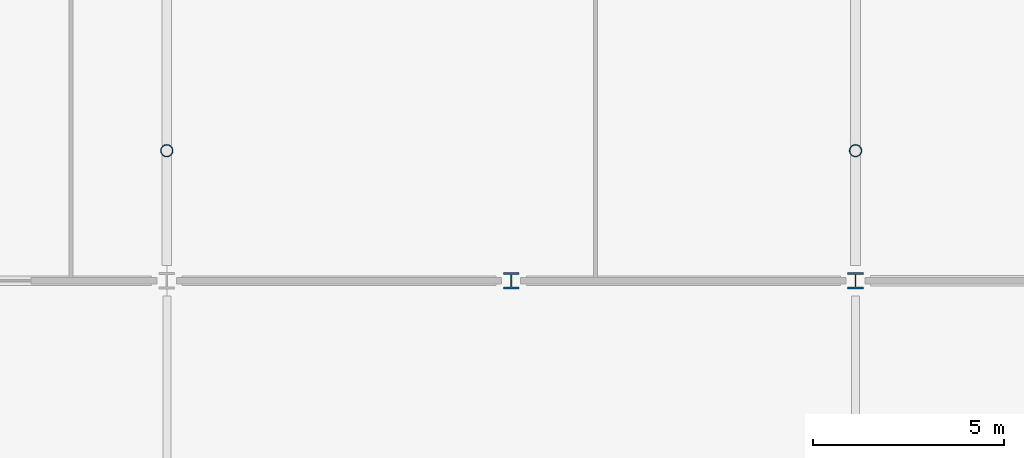
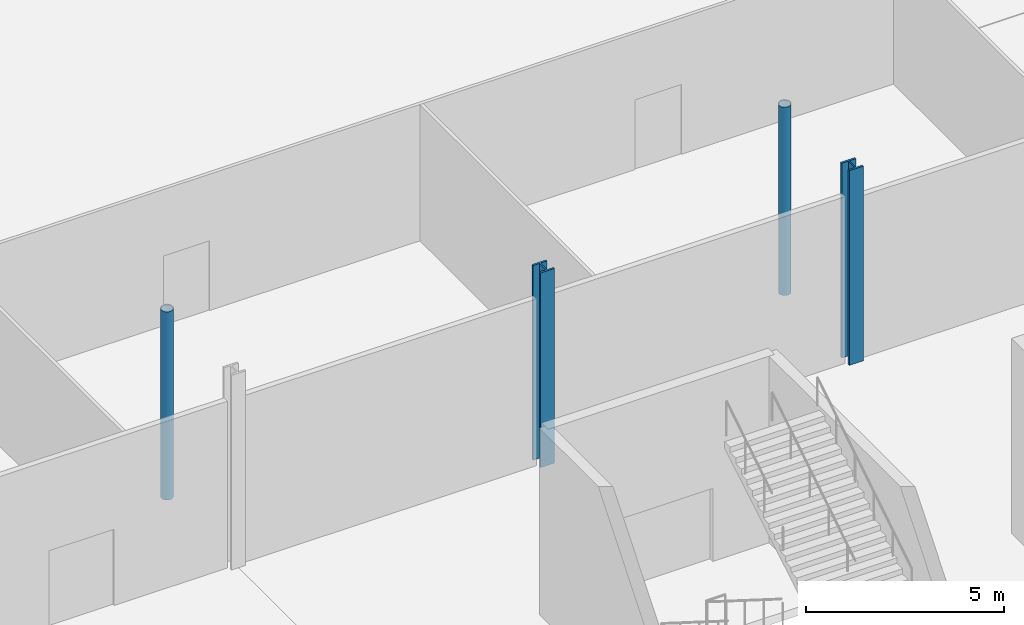
# One storey, part 5 of 84: 4 columns.
"""IFC4 building model written with IfcOpenShell, lengths in metres."""

from ifc_helpers import new_model, si_unit, direction, frame, origin, origin_2d, place, context, subcontext, project, spatial, hollow_circle, i_section, extrude, material, material_profile, profile_set, type_object, element, save


model = new_model("IFC4")

# Units and contexts
model_context = context("Model", 3, precision=1e-05, world=origin(), true_north=direction((0.0, 1.0)))
body_context = subcontext(model_context, "Body", "Model", "MODEL_VIEW")
ifc_project = project(units=[si_unit("LENGTHUNIT", "METRE"), si_unit("AREAUNIT", "SQUARE_METRE"), si_unit("VOLUMEUNIT", "CUBIC_METRE"), si_unit("PLANEANGLEUNIT", "RADIAN"), si_unit("MASSUNIT", "GRAM", prefix="KILO")], contexts=[model_context])

# Site, building, storey
site_placement = place(None, origin())
site = spatial("IfcSite", under=ifc_project, at=site_placement, CompositionType="ELEMENT")
building_placement = place(site_placement, origin())
building = spatial("IfcBuilding", under=site, at=building_placement, Name="Kisiwana Market Hall", CompositionType="ELEMENT")
storey_placement = place(building_placement, origin())
storey = spatial("IfcBuildingStorey", under=building, at=storey_placement, Name="L00", CompositionType="ELEMENT", Elevation=0.0)

# Columns
ifc_material_1 = material(Name="Steel S355", Category="steel")
ifc_material_profile_1 = material_profile(ifc_material_1, hollow_circle(Radius=0.161865234375, WallThickness=0.01611328125, at=origin_2d()), Name="CHS 323.9x16.0")
ifc_profile_set_1 = profile_set([ifc_material_profile_1], Name="Steel S355")
column_type_1 = type_object("IfcColumnType", Name="COL-STL-CHS324", PredefinedType="COLUMN", material=ifc_profile_set_1)
for number, where, z_axis, x_axis, name in (
    (1, (99.0, 39.39990234375, 0.0), (0.0, 0.0, 1.0), (1.0, 0.0, 0.0), "Gallery post E/12 (L00) C-0338"),
    (2, (117.0, 39.39990234375, 0.0), (0.0, 0.0, 1.0), (1.0, 0.0, 0.0), "Gallery post E/14 (L00) C-0340"),
):
    element("IfcColumn", number, at=place(storey_placement, frame(where, z_axis=z_axis, x_axis=x_axis)), inside=storey, type_object=column_type_1, Name=name, PredefinedType="COLUMN", context=body_context, shape_type="SweptSolid", body=[
        extrude(hollow_circle(Radius=0.161865234375, WallThickness=0.01611328125, at=origin_2d()), origin(), (0.0, 0.0, 1.0), 5.800048828125),
    ])
ifc_material_2 = material(Name="Steel S355", Category="steel")
ifc_material_profile_2 = material_profile(ifc_material_2, i_section(OverallWidth=0.412109375, OverallDepth=0.43505859375, WebThickness=0.035888671875, FlangeThickness=0.05810546875, at=origin_2d()), Name="HD 400x463")
ifc_profile_set_2 = profile_set([ifc_material_profile_2], Name="Steel S355")
column_type_2 = type_object("IfcColumnType", Name="COL-STL-HD463", PredefinedType="COLUMN", material=ifc_profile_set_2)
for number, where, z_axis, x_axis, name in (
    (3, (108.0, 36.0, 0.0), (0.0, 0.0, 1.0), (1.0, 0.0, 0.0), "Column E/13 (L00) C-0264"),
    (4, (117.0, 36.0, 0.0), (0.0, 0.0, 1.0), (1.0, 0.0, 0.0), "Column E/14 (L00) C-0269"),
):
    element("IfcColumn", number, at=place(storey_placement, frame(where, z_axis=z_axis, x_axis=x_axis)), inside=storey, type_object=column_type_2, Name=name, PredefinedType="COLUMN", context=body_context, shape_type="SweptSolid", body=[
        extrude(i_section(OverallWidth=0.412109375, OverallDepth=0.43505859375, WebThickness=0.035888671875, FlangeThickness=0.05810546875, at=origin_2d()), origin(), (0.0, 0.0, 1.0), 6.0),
    ])

save(model, "model.ifc")
